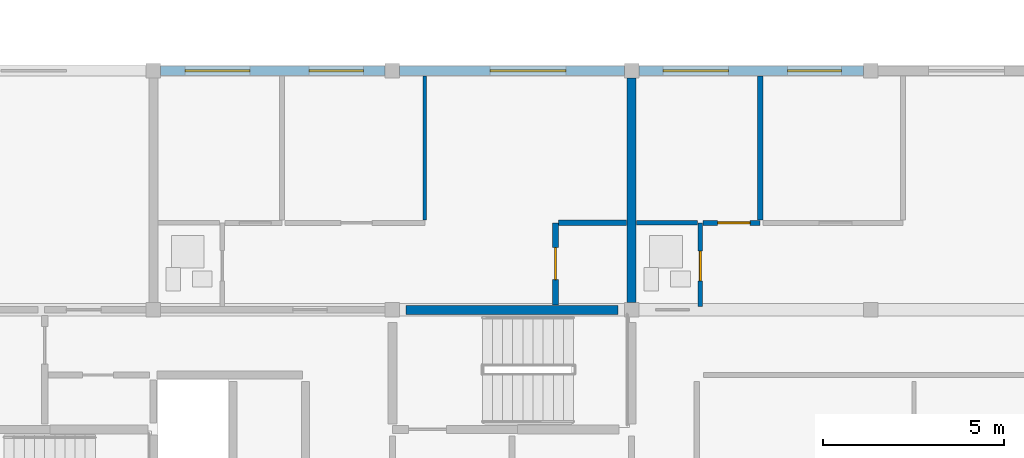
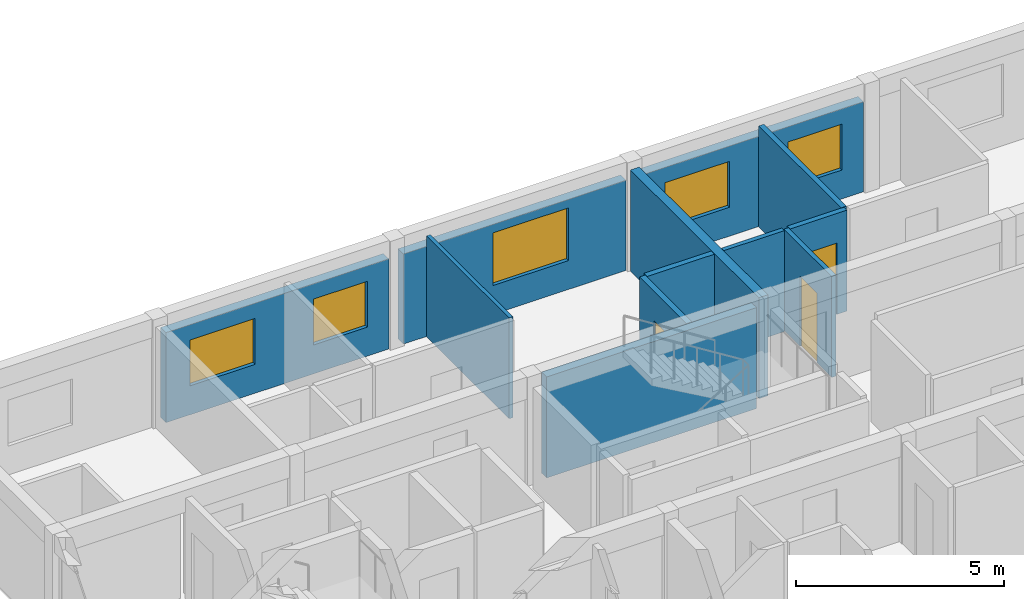
# One storey, part 25 of 37: 12 walls, 5 windows, 3 doors, 8 openings.
"""IFC4 building model written with IfcOpenShell, lengths in metres."""

import ifcopenshell
import ifcopenshell.guid

model = None  # the IFC model being written
_history = None  # IfcOwnerHistory: only IFC2X3 demands one
_inside = {}  # id of a spatial element -> (the spatial element, [elements in it])
_under = {}  # id of a project, library or spatial element -> (it, [spatial elements below it])
_declared = {}  # id of a project -> (the project, [libraries it declares])
_typed = {}  # id of a type object -> (the type object, [elements of that type])
_made_of = {}  # id of a material, layer set ... -> (it, [elements and type objects made of it])


def new_model(schema):
    """Start an empty IFC model of exactly this schema.

    Asked for "IFC4X3", IfcOpenShell would pick the latest addendum, in which some entities
    have other attributes; the version numbers below select the first issue.
    IFC2X3 requires an IfcOwnerHistory on every rooted entity: one is made here for all.
    """
    global model, _history
    if schema == "IFC4X3":
        model = ifcopenshell.file(schema_version=(4, 3, 0, 0))
    else:
        model = ifcopenshell.file(schema=schema)
    _inside.clear()
    _under.clear()
    _declared.clear()
    _typed.clear()
    _made_of.clear()
    _history = None
    if model.schema == "IFC2X3":
        org = make("IfcOrganization", Name="unknown")
        user = make(
            "IfcPersonAndOrganization",
            ThePerson=make("IfcPerson", FamilyName="unknown"),
            TheOrganization=org,
        )
        app = make(
            "IfcApplication",
            ApplicationDeveloper=org,
            Version="unknown",
            ApplicationFullName="unknown",
            ApplicationIdentifier="unknown",
        )
        _history = make(
            "IfcOwnerHistory",
            OwningUser=user,
            OwningApplication=app,
            ChangeAction="ADDED",
            CreationDate=0,
        )
    return model


def make(cls, **values):
    """One entity of the class cls with the attributes given. An attribute that is None is left unset."""
    return model.create_entity(
        cls, **{name: value for name, value in values.items() if value is not None}
    )


def rooted(cls, **values):
    """An entity with a GlobalId (a new one), such as an element, a storey or a relation."""
    return make(cls, GlobalId=ifcopenshell.guid.new(), OwnerHistory=_history, **values)


def si_unit(unit_type, name, prefix=None):
    """IfcSIUnit, for example si_unit("LENGTHUNIT", "METRE", prefix="MILLI")."""
    return make("IfcSIUnit", UnitType=unit_type, Prefix=prefix, Name=name)


def assignment(units):
    """IfcUnitAssignment: the units of a project."""
    return None if units is None else make("IfcUnitAssignment", Units=units)


def point(xyz):
    """IfcCartesianPoint."""
    return None if xyz is None else make("IfcCartesianPoint", Coordinates=xyz)


def direction(xyz):
    """IfcDirection."""
    return None if xyz is None else make("IfcDirection", DirectionRatios=xyz)


def frame(location, z_axis=None, x_axis=None):
    """IfcAxis2Placement3D, a coordinate frame: its origin and axes. An axis left out is left unset."""
    return make(
        "IfcAxis2Placement3D",
        Location=point(location),
        Axis=direction(z_axis),
        RefDirection=direction(x_axis),
    )


def frame_2d(location, x_axis=None):
    """IfcAxis2Placement2D, a coordinate frame in the plane: its origin and x axis."""
    return make(
        "IfcAxis2Placement2D", Location=point(location), RefDirection=direction(x_axis)
    )


def origin():
    """The frame at (0, 0, 0) with its axes left unset."""
    return frame((0.0, 0.0, 0.0))


def place(relative_to, where):
    """IfcLocalPlacement: puts the frame where relative to a parent placement (None: the world)."""
    return make(
        "IfcLocalPlacement", PlacementRelTo=relative_to, RelativePlacement=where
    )


def context(
    kind, dimensions, precision=None, world=None, true_north=None, identifier=None
):
    """IfcGeometricRepresentationContext, for example the 3D "Model" context."""
    return make(
        "IfcGeometricRepresentationContext",
        ContextIdentifier=identifier,
        ContextType=kind,
        CoordinateSpaceDimension=dimensions,
        Precision=precision,
        WorldCoordinateSystem=world,
        TrueNorth=true_north,
    )


def subcontext(parent, identifier, kind, view, scale=None):
    """IfcGeometricRepresentationSubContext, for example "Body" below "Model"."""
    return make(
        "IfcGeometricRepresentationSubContext",
        ContextIdentifier=identifier,
        ContextType=kind,
        ParentContext=parent,
        TargetScale=scale,
        TargetView=view,
    )


def project(units=None, contexts=None):
    """IfcProject with its units and contexts."""
    return rooted(
        "IfcProject",
        Name="project",
        RepresentationContexts=contexts,
        UnitsInContext=assignment(units),
    )


def spatial(cls, under=None, at=None, **own):
    """A site, building, storey or space (cls), placed at a placement, below another one or the project."""
    s = rooted(cls, ObjectPlacement=at, **own)
    if under is not None:
        _under.setdefault(under.id(), (under, []))[1].append(s)
    return s


def profile(cls, at=None, kind="AREA", **sizes):
    """A parametric profile (cls). Its sizes go by their IFC names, for example OverallWidth=200.0."""
    return make(cls, ProfileType=kind, Position=at, **sizes)


def rectangle(**sizes):
    """IfcRectangleProfileDef."""
    return profile("IfcRectangleProfileDef", **sizes)


def extrude(swept, where, along, depth):
    """IfcExtrudedAreaSolid: the profile swept, set in the frame where, extruded along a direction by depth."""
    return make(
        "IfcExtrudedAreaSolid",
        SweptArea=swept,
        Position=where,
        ExtrudedDirection=direction(along),
        Depth=depth,
    )


def shape(context_of_items, identifier, shape_type, items):
    """IfcShapeRepresentation: the items that make up one representation, for example the "Body"."""
    return make(
        "IfcShapeRepresentation",
        ContextOfItems=context_of_items,
        RepresentationIdentifier=identifier,
        RepresentationType=shape_type,
        Items=items,
    )


def material(Name=None, Category=None):
    """IfcMaterial."""
    return make("IfcMaterial", Name=Name, Category=Category)


def layer(
    of_material, thickness, ventilated=None, Name=None, Category=None, Priority=None
):
    """IfcMaterialLayer: one layer of a wall or slab, of a material (None: an air gap)."""
    return make(
        "IfcMaterialLayer",
        Material=of_material,
        LayerThickness=thickness,
        IsVentilated=ventilated,
        Name=Name,
        Category=Category,
        Priority=Priority,
    )


def layer_set(layers, Name=None):
    """IfcMaterialLayerSet."""
    return make("IfcMaterialLayerSet", MaterialLayers=layers, LayerSetName=Name)


def made_of(thing, what):
    """Note that an element or type object is made of a material, layer set ...; save() writes the relation."""
    if what is not None:
        _made_of.setdefault(what.id(), (what, []))[1].append(thing)
    return thing


def type_object(cls, material=None, **own):
    """A type object (cls), such as IfcWallType, which elements share."""
    return made_of(rooted(cls, **own), material)


def element(
    cls,
    number,
    at=None,
    inside=None,
    cuts=None,
    type_object=None,
    material=None,
    context=None,
    identifier="Body",
    shape_type=None,
    held_by="IfcProductDefinitionShape",
    body=None,
    shapes=None,
    **own,
):
    """One element of the class cls, such as IfcWall. Its Tag is "e" and its number.

    at: its placement. inside: the storey or other place that contains it. cuts: it is an
    opening in that element (IfcRelVoidsElement). A single representation is given by context,
    identifier, shape_type and body (its items); several are given by shapes. held_by: the class
    of the entity that holds the representations. save() writes the other relations.
    """
    e = rooted(cls, Tag="e%d" % number, ObjectPlacement=at, **own)
    if body is not None:
        shapes = [shape(context, identifier, shape_type, body)]
    if shapes is not None:
        e.Representation = make(held_by, Representations=shapes)
    if inside is not None:
        _inside.setdefault(inside.id(), (inside, []))[1].append(e)
    if cuts is not None:
        rooted(
            "IfcRelVoidsElement", RelatingBuildingElement=cuts, RelatedOpeningElement=e
        )
    if type_object is not None:
        _typed.setdefault(type_object.id(), (type_object, []))[1].append(e)
    return made_of(e, material)


def fill(opening, filler):
    """IfcRelFillsElement: the door or window that sits in an opening."""
    return rooted(
        "IfcRelFillsElement",
        RelatingOpeningElement=opening,
        RelatedBuildingElement=filler,
    )


def aggregate(whole, parts):
    """IfcRelAggregates: a whole, such as a stair, and the parts it consists of."""
    return rooted("IfcRelAggregates", RelatingObject=whole, RelatedObjects=parts)


def save(model, path):
    """Write the relations noted so far, then the file.

    IfcRelAggregates (storeys below a building ...), IfcRelContainedInSpatialStructure (elements
    in a storey), IfcRelDefinesByType, IfcRelAssociatesMaterial and IfcRelDeclares: one each for
    every whole, place, type object, material and project.
    """
    for whole, parts in _under.values():
        aggregate(whole, parts)
    for where, things in _inside.values():
        rooted(
            "IfcRelContainedInSpatialStructure",
            RelatedElements=things,
            RelatingStructure=where,
        )
    for kind, things in _typed.values():
        rooted("IfcRelDefinesByType", RelatedObjects=things, RelatingType=kind)
    for what, things in _made_of.values():
        rooted("IfcRelAssociatesMaterial", RelatedObjects=things, RelatingMaterial=what)
    for by, libraries in _declared.values():
        rooted("IfcRelDeclares", RelatingContext=by, RelatedDefinitions=libraries)
    model.write(path)


model = new_model("IFC4")

# Units and contexts
model_context = context("Model", 3, precision=1e-05, world=origin(), true_north=direction((0.0, 1.0)))
body_context = subcontext(model_context, "Body", "Model", "MODEL_VIEW")
ifc_project = project(units=[si_unit("LENGTHUNIT", "METRE"), si_unit("AREAUNIT", "SQUARE_METRE"), si_unit("VOLUMEUNIT", "CUBIC_METRE"), si_unit("PLANEANGLEUNIT", "RADIAN"), si_unit("MASSUNIT", "GRAM", prefix="KILO")], contexts=[model_context])

# Site, building, storey
site_placement = place(None, origin())
site = spatial("IfcSite", under=ifc_project, at=site_placement, CompositionType="ELEMENT")
building_placement = place(site_placement, origin())
building = spatial("IfcBuilding", under=site, at=building_placement, Name="Kernevlak Ridge Housing Community", CompositionType="ELEMENT")
storey_placement = place(building_placement, frame((0.0, 0.0, 37.199951171875)))
storey = spatial("IfcBuildingStorey", under=building, at=storey_placement, Name="L11", CompositionType="ELEMENT", Elevation=37.199951171875)

# Wall, openings, windows
ifc_material_1 = material(Name="Concrete block masonry M10", Category="masonry")
ifc_layer_1 = layer(ifc_material_1, 0.260009765625, Name="Concrete block masonry M10")
ifc_layer_set_1 = layer_set([ifc_layer_1], Name="Concrete block masonry M10")
wall_type_1 = type_object("IfcWallType", Name="EW-05", PredefinedType="STANDARD", material=ifc_layer_set_1)
wall_1_placement = place(storey_placement, frame((126.199951171875, 102.39990234375, 0.0), z_axis=(0.0, 0.0, 1.0), x_axis=(1.0, 0.0, 0.0)))
wall_1 = element("IfcWall", 1, at=wall_1_placement, inside=storey, type_object=wall_type_1, Name="Exterior wall EW-05 L11 473", PredefinedType="STANDARD", context=body_context, shape_type="SweptSolid", body=[
    extrude(rectangle(XDim=6.199951171875, YDim=0.260009765625, at=frame_2d((3.10009765625, 0.0))), origin(), (0.0, 0.0, 1.0), 2.650146484375),
])
opening_1_placement = place(wall_1_placement, frame((0.675048828125, 0.0, 0.85009765625)))
opening_1 = element("IfcOpeningElement", 2, at=opening_1_placement, cuts=wall_1, Name="Opening WT-03", PredefinedType="OPENING", context=body_context, shape_type="SweptSolid", body=[
    extrude(rectangle(XDim=1.800048828125, YDim=1.35009765625, at=frame_2d((0.89990234375, 0.675048828125))), frame((0.0, 0.139892578125, 0.0), z_axis=(0.0, -1.0, 0.0), x_axis=(1.0, 0.0, 0.0)), (0.0, 0.0, 1.0), 0.280029296875),
])
opening_2_placement = place(wall_1_placement, frame((4.10009765625, 0.0, 0.85009765625)))
opening_2 = element("IfcOpeningElement", 3, at=opening_2_placement, cuts=wall_1, Name="Opening WT-02", PredefinedType="OPENING", context=body_context, shape_type="SweptSolid", body=[
    extrude(rectangle(XDim=1.5, YDim=1.35009765625, at=frame_2d((0.75, 0.675048828125))), frame((0.0, 0.139892578125, 0.0), z_axis=(0.0, -1.0, 0.0), x_axis=(1.0, 0.0, 0.0)), (0.0, 0.0, 1.0), 0.280029296875),
])
ifc_material_2 = material(Name="Aluminium EN AW-6060 anodised and laminated glass", Category="aluminium")
window_type_1 = type_object("IfcWindowType", Name="WT-02", PartitioningType="SINGLE_PANEL", PredefinedType="WINDOW", material=ifc_material_2)
window_1_placement = place(opening_2_placement, origin())
window_1 = element("IfcWindow", 4, at=window_1_placement, inside=storey, type_object=window_type_1, Name="Window WT-02 L11 369", OverallHeight=1.35009765625, OverallWidth=1.5, PartitioningType="SINGLE_PANEL", PredefinedType="WINDOW", context=body_context, shape_type="SweptSolid", body=[
    extrude(rectangle(XDim=1.5, YDim=1.35009765625, at=frame_2d((0.75, 0.675048828125))), frame((0.0, 0.030029296875, 0.0), z_axis=(0.0, -1.0, 0.0), x_axis=(1.0, 0.0, 0.0)), (0.0, 0.0, 1.0), 0.06005859375),
])
fill(opening_2, window_1)
window_type_2 = type_object("IfcWindowType", Name="WT-03", PartitioningType="SINGLE_PANEL", PredefinedType="WINDOW", material=ifc_material_2)
window_2_placement = place(opening_1_placement, origin())
window_2 = element("IfcWindow", 5, at=window_2_placement, inside=storey, type_object=window_type_2, Name="Window WT-03 L11 368", OverallHeight=1.35009765625, OverallWidth=1.800048828125, PartitioningType="SINGLE_PANEL", PredefinedType="WINDOW", context=body_context, shape_type="SweptSolid", body=[
    extrude(rectangle(XDim=1.800048828125, YDim=1.35009765625, at=frame_2d((0.89990234375, 0.675048828125))), frame((0.0, 0.030029296875, 0.0), z_axis=(0.0, -1.0, 0.0), x_axis=(1.0, 0.0, 0.0)), (0.0, 0.0, 1.0), 0.06005859375),
])
fill(opening_1, window_2)

# Wall, opening, window
wall_2_placement = place(storey_placement, frame((132.800048828125, 102.39990234375, 0.0), z_axis=(0.0, 0.0, 1.0), x_axis=(1.0, 0.0, 0.0)))
wall_2 = element("IfcWall", 6, at=wall_2_placement, inside=storey, type_object=wall_type_1, Name="Exterior wall EW-05 L11 474", PredefinedType="STANDARD", context=body_context, shape_type="SweptSolid", body=[
    extrude(rectangle(XDim=6.199951171875, YDim=0.260009765625, at=frame_2d((3.10009765625, 0.0))), origin(), (0.0, 0.0, 1.0), 2.650146484375),
])
opening_3_placement = place(wall_2_placement, frame((2.49609375, 0.0, 0.85009765625)))
opening_3 = element("IfcOpeningElement", 7, at=opening_3_placement, cuts=wall_2, Name="Opening WT-05", PredefinedType="OPENING", context=body_context, shape_type="SweptSolid", body=[
    extrude(rectangle(XDim=2.10009765625, YDim=1.550048828125, at=frame_2d((1.050048828125, 0.77490234375))), frame((0.0, 0.139892578125, 0.0), z_axis=(0.0, -1.0, 0.0), x_axis=(1.0, 0.0, 0.0)), (0.0, 0.0, 1.0), 0.280029296875),
])
window_type_3 = type_object("IfcWindowType", Name="WT-05", PartitioningType="SINGLE_PANEL", PredefinedType="WINDOW", material=ifc_material_2)
window_3_placement = place(opening_3_placement, origin())
window_3 = element("IfcWindow", 8, at=window_3_placement, inside=storey, type_object=window_type_3, Name="Window WT-05 L11 370", OverallHeight=1.550048828125, OverallWidth=2.10009765625, PartitioningType="SINGLE_PANEL", PredefinedType="WINDOW", context=body_context, shape_type="SweptSolid", body=[
    extrude(rectangle(XDim=2.10009765625, YDim=1.550048828125, at=frame_2d((1.050048828125, 0.77490234375))), frame((0.0, 0.030029296875, 0.0), z_axis=(0.0, -1.0, 0.0), x_axis=(1.0, 0.0, 0.0)), (0.0, 0.0, 1.0), 0.06005859375),
])
fill(opening_3, window_3)

# Wall, openings, windows
wall_3_placement = place(storey_placement, frame((139.39990234375, 102.39990234375, 0.0), z_axis=(0.0, 0.0, 1.0), x_axis=(1.0, 0.0, 0.0)))
wall_3 = element("IfcWall", 9, at=wall_3_placement, inside=storey, type_object=wall_type_1, Name="Exterior wall EW-05 L11 475", PredefinedType="STANDARD", context=body_context, shape_type="SweptSolid", body=[
    extrude(rectangle(XDim=6.2001953125, YDim=0.260009765625, at=frame_2d((3.10009765625, 0.0))), origin(), (0.0, 0.0, 1.0), 2.650146484375),
])
opening_4_placement = place(wall_3_placement, frame((0.675048828125, 0.0, 0.85009765625)))
opening_4 = element("IfcOpeningElement", 10, at=opening_4_placement, cuts=wall_3, Name="Opening WT-03", PredefinedType="OPENING", context=body_context, shape_type="SweptSolid", body=[
    extrude(rectangle(XDim=1.800048828125, YDim=1.35009765625, at=frame_2d((0.89990234375, 0.675048828125))), frame((0.0, 0.139892578125, 0.0), z_axis=(0.0, -1.0, 0.0), x_axis=(1.0, 0.0, 0.0)), (0.0, 0.0, 1.0), 0.280029296875),
])
opening_5_placement = place(wall_3_placement, frame((4.10009765625, 0.0, 0.85009765625)))
opening_5 = element("IfcOpeningElement", 11, at=opening_5_placement, cuts=wall_3, Name="Opening WT-02", PredefinedType="OPENING", context=body_context, shape_type="SweptSolid", body=[
    extrude(rectangle(XDim=1.5, YDim=1.35009765625, at=frame_2d((0.75, 0.675048828125))), frame((0.0, 0.139892578125, 0.0), z_axis=(0.0, -1.0, 0.0), x_axis=(1.0, 0.0, 0.0)), (0.0, 0.0, 1.0), 0.280029296875),
])
window_4_placement = place(opening_5_placement, origin())
window_4 = element("IfcWindow", 12, at=window_4_placement, inside=storey, type_object=window_type_1, Name="Window WT-02 L11 372", OverallHeight=1.35009765625, OverallWidth=1.5, PartitioningType="SINGLE_PANEL", PredefinedType="WINDOW", context=body_context, shape_type="SweptSolid", body=[
    extrude(rectangle(XDim=1.5, YDim=1.35009765625, at=frame_2d((0.75, 0.675048828125))), frame((0.0, 0.030029296875, 0.0), z_axis=(0.0, -1.0, 0.0), x_axis=(1.0, 0.0, 0.0)), (0.0, 0.0, 1.0), 0.06005859375),
])
fill(opening_5, window_4)
window_5_placement = place(opening_4_placement, origin())
window_5 = element("IfcWindow", 13, at=window_5_placement, inside=storey, type_object=window_type_2, Name="Window WT-03 L11 371", OverallHeight=1.35009765625, OverallWidth=1.800048828125, PartitioningType="SINGLE_PANEL", PredefinedType="WINDOW", context=body_context, shape_type="SweptSolid", body=[
    extrude(rectangle(XDim=1.800048828125, YDim=1.35009765625, at=frame_2d((0.89990234375, 0.675048828125))), frame((0.0, 0.030029296875, 0.0), z_axis=(0.0, -1.0, 0.0), x_axis=(1.0, 0.0, 0.0)), (0.0, 0.0, 1.0), 0.06005859375),
])
fill(opening_4, window_5)

# Wall, opening, door
ifc_layer_2 = layer(ifc_material_1, 0.14501953125, Name="Concrete block masonry M10")
ifc_layer_set_2 = layer_set([ifc_layer_2], Name="Concrete block masonry M10")
wall_type_2 = type_object("IfcWallType", Name="PW-03", PredefinedType="PARTITIONING", material=ifc_layer_set_2)
wall_4_placement = place(storey_placement, frame((141.172607421875, 98.199951171875, 0.0), z_axis=(0.0, 0.0, 1.0), x_axis=(1.0, 0.0, 0.0)))
wall_4 = element("IfcWall", 14, at=wall_4_placement, inside=storey, type_object=wall_type_2, Name="Interior wall PW-03 WAL-INT-L11-1887", PredefinedType="PARTITIONING", context=body_context, shape_type="SweptSolid", body=[
    extrude(rectangle(XDim=1.577392578125, YDim=0.14501953125, at=frame_2d((0.78857421875, 0.0))), origin(), (0.0, 0.0, 1.0), 2.969970703125),
])
opening_6_placement = place(wall_4_placement, frame((0.39990234375, 0.0, 0.0)))
opening_6 = element("IfcOpeningElement", 15, at=opening_6_placement, cuts=wall_4, Name="Opening D956", PredefinedType="OPENING", context=body_context, shape_type="SweptSolid", body=[
    extrude(rectangle(XDim=0.89990234375, YDim=2.10009765625, at=frame_2d((0.449951171875, 1.050048828125))), frame((0.0, 0.08251953125, 0.0), z_axis=(0.0, -1.0, 0.0), x_axis=(1.0, 0.0, 0.0)), (0.0, 0.0, 1.0), 0.1650390625),
])
ifc_material_3 = material(Name="Hardwood timber leaf", Category="wood")
door_type_1 = type_object("IfcDoorType", Name="DT-21", OperationType="NOTDEFINED", PredefinedType="DOOR", material=ifc_material_3)
door_1_placement = place(opening_6_placement, origin())
door_1 = element("IfcDoor", 16, at=door_1_placement, inside=storey, type_object=door_type_1, Name="Flat B1123 bedroom door D956", OperationType="SINGLE_SWING_RIGHT", OverallHeight=2.10009765625, OverallWidth=0.89990234375, PredefinedType="DOOR", context=body_context, shape_type="SweptSolid", body=[
    extrude(rectangle(XDim=0.89990234375, YDim=2.10009765625, at=frame_2d((0.449951171875, 1.050048828125))), frame((0.0, 0.02490234375, 0.0), z_axis=(0.0, -1.0, 0.0), x_axis=(1.0, 0.0, 0.0)), (0.0, 0.0, 1.0), 0.050048828125),
])
fill(opening_6, door_1)

# Wall
wall_5_placement = place(storey_placement, frame((142.75, 98.282470703125, 0.0), z_axis=(0.0, 0.0, 1.0), x_axis=(0.0, 1.0, 0.0)))
element("IfcWall", 17, at=wall_5_placement, inside=storey, type_object=wall_type_2, Name="Interior wall PW-03 WAL-INT-L11-1888", PredefinedType="PARTITIONING", context=body_context, shape_type="SweptSolid", body=[
    extrude(rectangle(XDim=3.9775390625, YDim=0.14501953125, at=frame_2d((1.98876953125, 0.0))), origin(), (0.0, 0.0, 1.0), 2.969970703125),
])

# Wall, opening, door
ifc_material_4 = material(Name="Gypsum plasterboard EN 520", Category="gypsum")
ifc_layer_3 = layer(ifc_material_4, 0.125, Name="Gypsum plasterboard EN 520")
ifc_layer_set_3 = layer_set([ifc_layer_3], Name="Gypsum plasterboard EN 520")
wall_type_3 = type_object("IfcWallType", Name="PW-04", PredefinedType="PARTITIONING", material=ifc_layer_set_3)
wall_6_placement = place(storey_placement, frame((141.10009765625, 95.8974609375, 0.0), z_axis=(0.0, 0.0, 1.0), x_axis=(0.0, 1.0, 0.0)))
wall_6 = element("IfcWall", 18, at=wall_6_placement, inside=storey, type_object=wall_type_3, Name="Interior wall PW-04 WAL-INT-L11-1883", PredefinedType="PARTITIONING", context=body_context, shape_type="SweptSolid", body=[
    extrude(rectangle(XDim=2.302490234375, YDim=0.125, at=frame_2d((1.1513671875, 0.0))), origin(), (0.0, 0.0, 1.0), 2.969970703125),
])
opening_7_placement = place(wall_6_placement, frame((0.699951171875, 0.0, 0.0)))
opening_7 = element("IfcOpeningElement", 19, at=opening_7_placement, cuts=wall_6, Name="Opening D954", PredefinedType="OPENING", context=body_context, shape_type="SweptSolid", body=[
    extrude(rectangle(XDim=0.820068359375, YDim=2.050048828125, at=frame_2d((0.41015625, 1.02490234375))), frame((0.0, 0.072509765625, 0.0), z_axis=(0.0, -1.0, 0.0), x_axis=(1.0, 0.0, 0.0)), (0.0, 0.0, 1.0), 0.14501953125),
])
ifc_material_5 = material(Name="Hardwood timber moisture-resistant leaf", Category="wood")
door_type_2 = type_object("IfcDoorType", Name="DT-30", OperationType="NOTDEFINED", PredefinedType="DOOR", material=ifc_material_5)
door_2_placement = place(opening_7_placement, origin())
door_2 = element("IfcDoor", 20, at=door_2_placement, inside=storey, type_object=door_type_2, Name="Flat B1123 bathroom door D954", OperationType="SINGLE_SWING_RIGHT", OverallHeight=2.050048828125, OverallWidth=0.820068359375, PredefinedType="DOOR", context=body_context, shape_type="SweptSolid", body=[
    extrude(rectangle(XDim=0.820068359375, YDim=2.050048828125, at=frame_2d((0.41015625, 1.02490234375))), frame((0.0, 0.02490234375, 0.0), z_axis=(0.0, -1.0, 0.0), x_axis=(1.0, 0.0, 0.0)), (0.0, 0.0, 1.0), 0.050048828125),
])
fill(opening_7, door_2)

# Wall
wall_7_placement = place(storey_placement, frame((139.3349609375, 98.199951171875, 0.0), z_axis=(0.0, 0.0, 1.0), x_axis=(1.0, 0.0, 0.0)))
element("IfcWall", 21, at=wall_7_placement, inside=storey, type_object=wall_type_3, Name="Interior wall PW-04 WAL-INT-L11-1884", PredefinedType="PARTITIONING", context=body_context, shape_type="SweptSolid", body=[
    extrude(rectangle(XDim=1.68505859375, YDim=0.125, at=frame_2d((0.842529296875, 0.0))), origin(), (0.0, 0.0, 1.0), 2.969970703125),
])

# Wall, opening, door
ifc_layer_4 = layer(ifc_material_4, 0.155029296875, Name="Gypsum plasterboard EN 520")
ifc_layer_set_4 = layer_set([ifc_layer_4], Name="Gypsum plasterboard EN 520")
wall_type_4 = type_object("IfcWallType", Name="PW-05", PredefinedType="PARTITIONING", material=ifc_layer_set_4)
wall_8_placement = place(storey_placement, frame((137.10009765625, 95.93505859375, 0.0), z_axis=(0.0, 0.0, 1.0), x_axis=(0.0, 1.0, 0.0)))
wall_8 = element("IfcWall", 22, at=wall_8_placement, inside=storey, type_object=wall_type_4, Name="Interior wall PW-05 WAL-INT-L11-1876", PredefinedType="PARTITIONING", context=body_context, shape_type="SweptSolid", body=[
    extrude(rectangle(XDim=2.264892578125, YDim=0.155029296875, at=frame_2d((1.13232421875, 0.0))), origin(), (0.0, 0.0, 1.0), 2.969970703125),
])
opening_8_placement = place(wall_8_placement, frame((0.699951171875, 0.0, 0.0)))
opening_8 = element("IfcOpeningElement", 23, at=opening_8_placement, cuts=wall_8, Name="Opening D950", PredefinedType="OPENING", context=body_context, shape_type="SweptSolid", body=[
    extrude(rectangle(XDim=0.8798828125, YDim=2.10009765625, at=frame_2d((0.43994140625, 1.050048828125))), frame((0.0, 0.08740234375, 0.0), z_axis=(0.0, -1.0, 0.0), x_axis=(1.0, 0.0, 0.0)), (0.0, 0.0, 1.0), 0.175048828125),
])
door_type_3 = type_object("IfcDoorType", Name="DT-25", OperationType="NOTDEFINED", PredefinedType="DOOR", material=ifc_material_3)
door_3_placement = place(opening_8_placement, origin())
door_3 = element("IfcDoor", 24, at=door_3_placement, inside=storey, type_object=door_type_3, Name="Flat B1122 kitchen door D950", OperationType="SINGLE_SWING_RIGHT", OverallHeight=2.10009765625, OverallWidth=0.8798828125, PredefinedType="DOOR", context=body_context, shape_type="SweptSolid", body=[
    extrude(rectangle(XDim=0.8798828125, YDim=2.10009765625, at=frame_2d((0.43994140625, 1.050048828125))), frame((0.0, 0.02490234375, 0.0), z_axis=(0.0, -1.0, 0.0), x_axis=(1.0, 0.0, 0.0)), (0.0, 0.0, 1.0), 0.050048828125),
])
fill(opening_8, door_3)

# Walls
wall_9_placement = place(storey_placement, frame((137.1875, 98.199951171875, 0.0), z_axis=(0.0, 0.0, 1.0), x_axis=(1.0, 0.0, 0.0)))
element("IfcWall", 25, at=wall_9_placement, inside=storey, type_object=wall_type_4, Name="Interior wall PW-05 WAL-INT-L11-1877", PredefinedType="PARTITIONING", context=body_context, shape_type="SweptSolid", body=[
    extrude(rectangle(XDim=1.87744140625, YDim=0.155029296875, at=frame_2d((0.938720703125, 0.0))), origin(), (0.0, 0.0, 1.0), 2.969970703125),
])
ifc_layer_5 = layer(ifc_material_4, 0.10498046875, Name="Gypsum plasterboard EN 520")
ifc_layer_set_5 = layer_set([ifc_layer_5], Name="Gypsum plasterboard EN 520")
wall_type_5 = type_object("IfcWallType", Name="PW-06", PredefinedType="PARTITIONING", material=ifc_layer_set_5)
wall_10_placement = place(storey_placement, frame((133.491943359375, 98.282470703125, 0.0), z_axis=(0.0, 0.0, 1.0), x_axis=(0.0, 1.0, 0.0)))
element("IfcWall", 26, at=wall_10_placement, inside=storey, type_object=wall_type_5, Name="Interior wall PW-06 WAL-INT-L11-1881", PredefinedType="PARTITIONING", context=body_context, shape_type="SweptSolid", body=[
    extrude(rectangle(XDim=3.9775390625, YDim=0.10498046875, at=frame_2d((1.98876953125, 0.0))), origin(), (0.0, 0.0, 1.0), 2.969970703125),
])
ifc_material_6 = material(Name="Concrete C40/50", Category="concrete")
ifc_layer_6 = layer(ifc_material_6, 0.25, Name="Concrete C40/50")
ifc_layer_set_6 = layer_set([ifc_layer_6], Name="Concrete C40/50")
wall_type_6 = type_object("IfcWallType", Name="SW-03", PredefinedType="SHEAR", material=ifc_layer_set_6)
wall_11_placement = place(storey_placement, frame((132.97998046875, 95.800048828125, 0.0), z_axis=(0.0, 0.0, 1.0), x_axis=(1.0, 0.0, 0.0)))
element("IfcWall", 27, at=wall_11_placement, inside=storey, type_object=wall_type_6, Name="Shear wall SW-03 Block B L11 324", PredefinedType="SHEAR", context=body_context, shape_type="SweptSolid", body=[
    extrude(rectangle(XDim=5.840087890625, YDim=0.25, at=frame_2d((2.919921875, 0.0))), origin(), (0.0, 0.0, 1.0), 2.969970703125),
])
wall_12_placement = place(storey_placement, frame((139.199951171875, 96.0, 0.0), z_axis=(0.0, 0.0, 1.0), x_axis=(0.0, 1.0, 0.0)))
element("IfcWall", 28, at=wall_12_placement, inside=storey, type_object=wall_type_6, Name="Shear wall SW-03 Block B L11 330", PredefinedType="SHEAR", context=body_context, shape_type="SweptSolid", body=[
    extrude(rectangle(XDim=6.199951171875, YDim=0.25, at=frame_2d((3.10009765625, 0.0))), origin(), (0.0, 0.0, 1.0), 2.969970703125),
])

save(model, "model.ifc")
